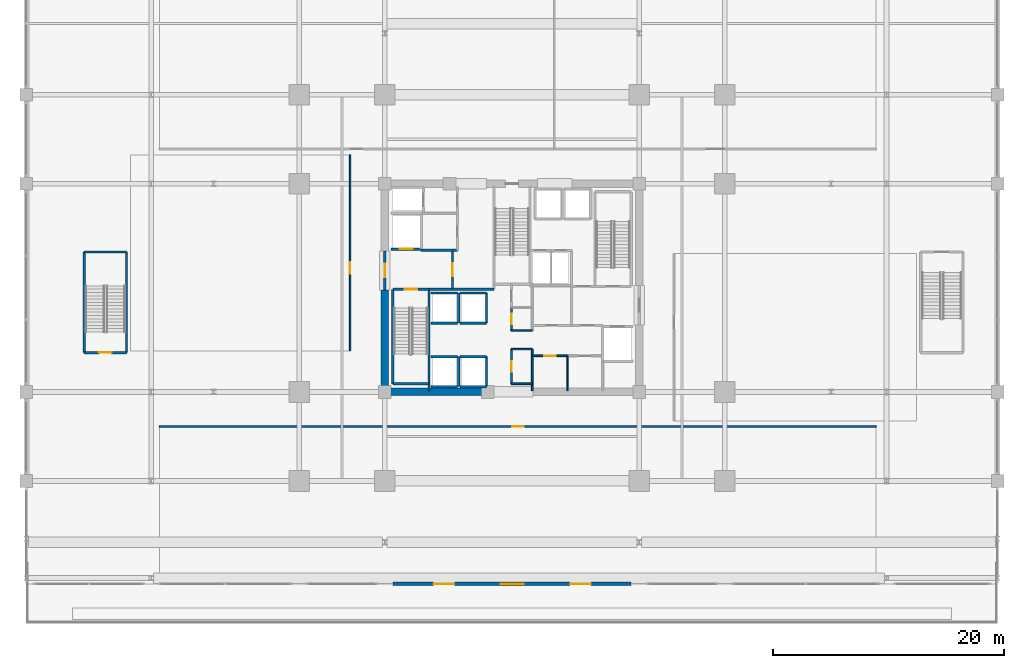
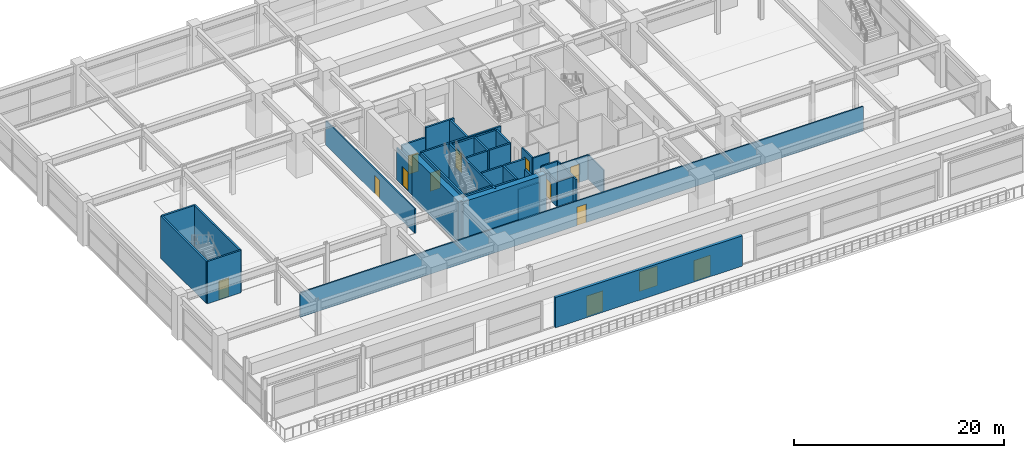
# One storey, part 36 of 45: 38 walls, 12 doors, 1 window, 13 openings.
"""IFC4 building model written with IfcOpenShell, lengths in metres."""

from ifc_helpers import new_model, si_unit, direction, frame, frame_2d, origin, place, context, subcontext, project, spatial, rectangle, extrude, material, layer, layer_set, type_object, element, fill, save


model = new_model("IFC4")

# Units and contexts
model_context = context("Model", 3, precision=1e-05, world=origin(), true_north=direction((0.0, 1.0)))
body_context = subcontext(model_context, "Body", "Model", "MODEL_VIEW")
ifc_project = project(units=[si_unit("LENGTHUNIT", "METRE"), si_unit("AREAUNIT", "SQUARE_METRE"), si_unit("VOLUMEUNIT", "CUBIC_METRE"), si_unit("PLANEANGLEUNIT", "RADIAN"), si_unit("MASSUNIT", "GRAM", prefix="KILO")], contexts=[model_context])

# Site, building, storey
site_placement = place(None, origin())
site = spatial("IfcSite", under=ifc_project, at=site_placement, CompositionType="ELEMENT")
building_placement = place(site_placement, origin())
building = spatial("IfcBuilding", under=site, at=building_placement, Name="Kovane Verandah Tower", CompositionType="ELEMENT")
storey_placement = place(building_placement, frame((0.0, 0.0, 6.0)))
storey = spatial("IfcBuildingStorey", under=building, at=storey_placement, Name="L01", CompositionType="ELEMENT", Elevation=6.0)

# Walls
ifc_material_1 = material(Name="Fire-Rated Gypsum Stud Partition", Category="gypsum")
ifc_layer_1 = layer(ifc_material_1, 0.14990234375)
ifc_layer_set_1 = layer_set([ifc_layer_1], Name="Fire-Rated Gypsum Stud Partition")
wall_type_1 = type_object("IfcWallType", Name="WL-COR-150", PredefinedType="PARTITIONING", material=ifc_layer_set_1)
for number, where, z_axis, x_axis, name in (
    (1, (39.949951171875, 19.199951171875, 0.0), (0.0, 0.0, 1.0), (1.0, 0.0, 0.0), "L01 Central Core Strip South Wall"),
    (2, (39.949951171875, 22.199951171875, 0.0), (0.0, 0.0, 1.0), (1.0, 0.0, 0.0), "L01 Core Cross-Passage South Wall"),
    (3, (39.949951171875, 23.800048828125, 0.0), (0.0, 0.0, 1.0), (1.0, 0.0, 0.0), "L01 Core Cross-Passage North Wall"),
):
    element("IfcWall", number, at=place(storey_placement, frame(where, z_axis=z_axis, x_axis=x_axis)), inside=storey, type_object=wall_type_1, Name=name, PredefinedType="PARTITIONING", context=body_context, shape_type="SweptSolid", body=[
        extrude(rectangle(XDim=1.81005859375, YDim=0.14990234375, at=frame_2d((0.905029296875, 0.0))), origin(), (0.0, 0.0, 1.0), 2.85009765625),
    ])
wall_1_placement = place(storey_placement, frame((41.760009765625, 18.60009765625, 0.0), z_axis=(0.0, 0.0, 1.0), x_axis=(0.0, 1.0, 0.0)))
element("IfcWall", 4, at=wall_1_placement, inside=storey, type_object=wall_type_1, Name="L01 Central Core Strip Lower East Wall", PredefinedType="PARTITIONING", context=body_context, shape_type="SweptSolid", body=[
    extrude(rectangle(XDim=3.599853515625, YDim=0.14990234375, at=frame_2d((1.7998046875, 0.0))), origin(), (0.0, 0.0, 1.0), 2.85009765625),
])

# Wall, opening, door
wall_2_placement = place(storey_placement, frame((39.949951171875, 19.199951171875, 0.0), z_axis=(0.0, 0.0, 1.0), x_axis=(0.0, 1.0, 0.0)))
wall_2 = element("IfcWall", 5, at=wall_2_placement, inside=storey, type_object=wall_type_1, Name="L01 Male Toilet Partition", PredefinedType="PARTITIONING", context=body_context, shape_type="SweptSolid", body=[
    extrude(rectangle(XDim=3.0, YDim=0.14990234375, at=frame_2d((1.5, 0.0))), origin(), (0.0, 0.0, 1.0), 2.85009765625),
])
opening_1_placement = place(wall_2_placement, frame((1.050048828125, 0.0, 0.0)))
opening_1 = element("IfcOpeningElement", 6, at=opening_1_placement, cuts=wall_2, Name="Opening DR-L01-027", PredefinedType="OPENING", context=body_context, shape_type="SweptSolid", body=[
    extrude(rectangle(XDim=0.89990234375, YDim=2.10009765625, at=frame_2d((0.449951171875, 1.050048828125))), frame((0.0, 0.074951171875, 0.0), z_axis=(0.0, -1.0, 0.0), x_axis=(1.0, 0.0, 0.0)), (0.0, 0.0, 1.0), 0.14990234375),
])
ifc_material_2 = material(Name="Moisture-Resistant Laminate Washroom Door", Category="wood")
door_type_1 = type_object("IfcDoorType", Name="DR-WC-900", OperationType="SINGLE_SWING_LEFT", PredefinedType="DOOR", material=ifc_material_2)
door_1_placement = place(opening_1_placement, origin())
door_1 = element("IfcDoor", 7, at=door_1_placement, inside=storey, type_object=door_type_1, Name="L01 Male Toilet Door", OperationType="SINGLE_SWING_LEFT", OverallHeight=2.10009765625, OverallWidth=0.89990234375, PredefinedType="DOOR", context=body_context, shape_type="SweptSolid", body=[
    extrude(rectangle(XDim=0.89990234375, YDim=2.10009765625, at=frame_2d((0.449951171875, 1.050048828125))), frame((0.0, 0.02490234375, 0.0), z_axis=(0.0, -1.0, 0.0), x_axis=(1.0, 0.0, 0.0)), (0.0, 0.0, 1.0), 0.050048828125),
])
fill(opening_1, door_1)

wall_3_placement = place(storey_placement, frame((39.949951171875, 23.800048828125, 0.0), z_axis=(0.0, 0.0, 1.0), x_axis=(0.0, 1.0, 0.0)))
wall_3 = element("IfcWall", 8, at=wall_3_placement, inside=storey, type_object=wall_type_1, Name="L01 Female Toilet Partition", PredefinedType="PARTITIONING", context=body_context, shape_type="SweptSolid", body=[
    extrude(rectangle(XDim=2.0, YDim=0.14990234375, at=frame_2d((1.0, 0.0))), origin(), (0.0, 0.0, 1.0), 2.85009765625),
])
opening_2_placement = place(wall_3_placement, frame((0.550048828125, 0.0, 0.0)))
opening_2 = element("IfcOpeningElement", 9, at=opening_2_placement, cuts=wall_3, Name="Opening DR-L01-026", PredefinedType="OPENING", context=body_context, shape_type="SweptSolid", body=[
    extrude(rectangle(XDim=0.89990234375, YDim=2.10009765625, at=frame_2d((0.449951171875, 1.050048828125))), frame((0.0, 0.074951171875, 0.0), z_axis=(0.0, -1.0, 0.0), x_axis=(1.0, 0.0, 0.0)), (0.0, 0.0, 1.0), 0.14990234375),
])
door_2_placement = place(opening_2_placement, origin())
door_2 = element("IfcDoor", 10, at=door_2_placement, inside=storey, type_object=door_type_1, Name="L01 Female Toilet Door", OperationType="SINGLE_SWING_RIGHT", OverallHeight=2.10009765625, OverallWidth=0.89990234375, PredefinedType="DOOR", context=body_context, shape_type="SweptSolid", body=[
    extrude(rectangle(XDim=0.89990234375, YDim=2.10009765625, at=frame_2d((0.449951171875, 1.050048828125))), frame((0.0, 0.02490234375, 0.0), z_axis=(0.0, -1.0, 0.0), x_axis=(1.0, 0.0, 0.0)), (0.0, 0.0, 1.0), 0.050048828125),
])
fill(opening_2, door_2)

wall_4_placement = place(storey_placement, frame((41.760009765625, 21.6201171875, 0.0), z_axis=(0.0, 0.0, 1.0), x_axis=(1.0, 0.0, 0.0)))
wall_4 = element("IfcWall", 11, at=wall_4_placement, inside=storey, type_object=wall_type_1, Name="L01 AV Control Room Partition", PredefinedType="PARTITIONING", context=body_context, shape_type="SweptSolid", body=[
    extrude(rectangle(XDim=3.0400390625, YDim=0.14990234375, at=frame_2d((1.52001953125, 0.0))), origin(), (0.0, 0.0, 1.0), 2.85009765625),
])
opening_3_placement = place(wall_4_placement, frame((1.02001953125, 0.0, 0.0)))
opening_3 = element("IfcOpeningElement", 12, at=opening_3_placement, cuts=wall_4, Name="Opening DR-L01-015", PredefinedType="OPENING", context=body_context, shape_type="SweptSolid", body=[
    extrude(rectangle(XDim=1.0, YDim=2.14990234375, at=frame_2d((0.5, 1.074951171875))), frame((0.0, 0.074951171875, 0.0), z_axis=(0.0, -1.0, 0.0), x_axis=(1.0, 0.0, 0.0)), (0.0, 0.0, 1.0), 0.14990234375),
])
ifc_material_3 = material(Name="FSC Spotted-Gum Timber Fire-Rated Office Door", Category="wood")
door_type_2 = type_object("IfcDoorType", Name="DR-OFF-1000", OperationType="SINGLE_SWING_LEFT", PredefinedType="DOOR", material=ifc_material_3)
door_3_placement = place(opening_3_placement, origin())
door_3 = element("IfcDoor", 13, at=door_3_placement, inside=storey, type_object=door_type_2, Name="L01 AV Control Room Door", OperationType="SINGLE_SWING_RIGHT", OverallHeight=2.14990234375, OverallWidth=1.0, PredefinedType="DOOR", context=body_context, shape_type="SweptSolid", body=[
    extrude(rectangle(XDim=1.0, YDim=2.14990234375, at=frame_2d((0.5, 1.074951171875))), frame((0.0, 0.02490234375, 0.0), z_axis=(0.0, -1.0, 0.0), x_axis=(1.0, 0.0, 0.0)), (0.0, 0.0, 1.0), 0.050048828125),
])
fill(opening_3, door_3)

wall_5_placement = place(storey_placement, frame((9.5, 15.5, 0.0), z_axis=(0.0, 0.0, 1.0), x_axis=(1.0, 0.0, 0.0)))
wall_5 = element("IfcWall", 14, at=wall_5_placement, inside=storey, type_object=wall_type_1, Name="L01 South Banking Hall Corridor Partition", PredefinedType="PARTITIONING", context=body_context, shape_type="SweptSolid", body=[
    extrude(rectangle(XDim=62.0, YDim=0.14990234375, at=frame_2d((31.0, 0.0))), origin(), (0.0, 0.0, 1.0), 2.85009765625),
])
opening_4_placement = place(wall_5_placement, frame((30.5, 0.0, 0.0)))
opening_4 = element("IfcOpeningElement", 15, at=opening_4_placement, cuts=wall_5, Name="Opening DR-L01-022", PredefinedType="OPENING", context=body_context, shape_type="SweptSolid", body=[
    extrude(rectangle(XDim=1.0, YDim=2.14990234375, at=frame_2d((0.5, 1.074951171875))), frame((0.0, 0.074951171875, 0.0), z_axis=(0.0, -1.0, 0.0), x_axis=(1.0, 0.0, 0.0)), (0.0, 0.0, 1.0), 0.14990234375),
])
door_4_placement = place(opening_4_placement, origin())
door_4 = element("IfcDoor", 16, at=door_4_placement, inside=storey, type_object=door_type_2, Name="L01 South Banking Hall Entrance Door", OperationType="SINGLE_SWING_LEFT", OverallHeight=2.14990234375, OverallWidth=1.0, PredefinedType="DOOR", context=body_context, shape_type="SweptSolid", body=[
    extrude(rectangle(XDim=1.0, YDim=2.14990234375, at=frame_2d((0.5, 1.074951171875))), frame((0.0, 0.02490234375, 0.0), z_axis=(0.0, -1.0, 0.0), x_axis=(1.0, 0.0, 0.0)), (0.0, 0.0, 1.0), 0.050048828125),
])
fill(opening_4, door_4)

wall_6_placement = place(storey_placement, frame((26.0, 22.050048828125, 0.0), z_axis=(0.0, 0.0, 1.0), x_axis=(0.0, 1.0, 0.0)))
wall_6 = element("IfcWall", 17, at=wall_6_placement, inside=storey, type_object=wall_type_1, Name="L01 West Client Advisory Suite Corridor Partition", PredefinedType="PARTITIONING", context=body_context, shape_type="SweptSolid", body=[
    extrude(rectangle(XDim=16.949951171875, YDim=0.14990234375, at=frame_2d((8.47509765625, 0.0))), origin(), (0.0, 0.0, 1.0), 2.85009765625),
])
opening_5_placement = place(wall_6_placement, frame((6.675048828125, 0.0, 0.0)))
opening_5 = element("IfcOpeningElement", 18, at=opening_5_placement, cuts=wall_6, Name="Opening DR-L01-024", PredefinedType="OPENING", context=body_context, shape_type="SweptSolid", body=[
    extrude(rectangle(XDim=1.0, YDim=2.14990234375, at=frame_2d((0.5, 1.074951171875))), frame((0.0, 0.074951171875, 0.0), z_axis=(0.0, -1.0, 0.0), x_axis=(1.0, 0.0, 0.0)), (0.0, 0.0, 1.0), 0.14990234375),
])
door_5_placement = place(opening_5_placement, origin())
door_5 = element("IfcDoor", 19, at=door_5_placement, inside=storey, type_object=door_type_2, Name="L01 West Client Advisory Suite Entrance Door", OperationType="SINGLE_SWING_RIGHT", OverallHeight=2.14990234375, OverallWidth=1.0, PredefinedType="DOOR", context=body_context, shape_type="SweptSolid", body=[
    extrude(rectangle(XDim=1.0, YDim=2.14990234375, at=frame_2d((0.5, 1.074951171875))), frame((0.0, 0.02490234375, 0.0), z_axis=(0.0, -1.0, 0.0), x_axis=(1.0, 0.0, 0.0)), (0.0, 0.0, 1.0), 0.050048828125),
])
fill(opening_5, door_5)

# Walls
ifc_material_4 = material(Name="Concrete C80/95", Category="concrete")
ifc_layer_2 = layer(ifc_material_4, 0.64990234375)
ifc_layer_set_2 = layer_set([ifc_layer_2], Name="Concrete C80/95")
wall_type_2 = type_object("IfcWallType", Name="WL-CORE-650", PredefinedType="SHEAR", material=ifc_layer_set_2)
wall_7_placement = place(storey_placement, frame((29.0, 18.5, 0.0), z_axis=(0.0, 0.0, 1.0), x_axis=(1.0, 0.0, 0.0)))
element("IfcWall", 20, at=wall_7_placement, inside=storey, type_object=wall_type_2, Name="L01 Core Shear Wall CS-1", PredefinedType="SHEAR", context=body_context, shape_type="SweptSolid", body=[
    extrude(rectangle(XDim=9.199951171875, YDim=0.64990234375, at=frame_2d((4.60009765625, 0.0))), origin(), (0.0, 0.0, 1.0), 4.919921875),
])
wall_8_placement = place(storey_placement, frame((29.0, 18.5, 0.0), z_axis=(0.0, 0.0, 1.0), x_axis=(0.0, 1.0, 0.0)))
element("IfcWall", 21, at=wall_8_placement, inside=storey, type_object=wall_type_2, Name="L01 Core Shear Wall CW-1", PredefinedType="SHEAR", context=body_context, shape_type="SweptSolid", body=[
    extrude(rectangle(XDim=8.800048828125, YDim=0.64990234375, at=frame_2d((4.39990234375, 0.0))), origin(), (0.0, 0.0, 1.0), 4.919921875),
])

# Wall, opening, door
ifc_material_5 = material(Name="Concrete C45/55 Fire Wall", Category="concrete")
ifc_layer_3 = layer(ifc_material_5, 0.199951171875)
ifc_layer_set_3 = layer_set([ifc_layer_3], Name="Concrete C45/55 Fire Wall")
wall_type_3 = type_object("IfcWallType", Name="WL-FFL-200", PredefinedType="PARTITIONING", material=ifc_layer_set_3)
wall_9_placement = place(storey_placement, frame((34.85009765625, 27.3798828125, 0.0), z_axis=(0.0, 0.0, 1.0), x_axis=(0.0, 1.0, 0.0)))
wall_9 = element("IfcWall", 22, at=wall_9_placement, inside=storey, type_object=wall_type_3, Name="W-L01-FFLW-E", PredefinedType="PARTITIONING", context=body_context, shape_type="SweptSolid", body=[
    extrude(rectangle(XDim=3.3701171875, YDim=0.199951171875, at=frame_2d((1.68505859375, 0.0))), origin(), (0.0, 0.0, 1.0), 4.919921875),
])
opening_6_placement = place(wall_9_placement, frame((1.110107421875, 0.0, 0.0)))
opening_6 = element("IfcOpeningElement", 23, at=opening_6_placement, cuts=wall_9, Name="Opening DR-L01-004", PredefinedType="OPENING", context=body_context, shape_type="SweptSolid", body=[
    extrude(rectangle(XDim=1.14990234375, YDim=2.199951171875, at=frame_2d((0.574951171875, 1.10009765625))), frame((0.0, 0.10009765625, 0.0), z_axis=(0.0, -1.0, 0.0), x_axis=(1.0, 0.0, 0.0)), (0.0, 0.0, 1.0), 0.199951171875),
])
ifc_material_6 = material(Name="Smoke-Sealed Firefighting Lobby Door", Category="steel")
door_type_3 = type_object("IfcDoorType", Name="DR-FFL-1150", OperationType="SINGLE_SWING_LEFT", PredefinedType="DOOR", material=ifc_material_6)
door_6_placement = place(opening_6_placement, origin())
door_6 = element("IfcDoor", 24, at=door_6_placement, inside=storey, type_object=door_type_3, Name="L01 West Firefighting Lobby Inner Door", OperationType="SINGLE_SWING_LEFT", OverallHeight=2.199951171875, OverallWidth=1.14990234375, PredefinedType="DOOR", context=body_context, shape_type="SweptSolid", body=[
    extrude(rectangle(XDim=1.14990234375, YDim=2.199951171875, at=frame_2d((0.574951171875, 1.10009765625))), frame((0.0, 0.02490234375, 0.0), z_axis=(0.0, -1.0, 0.0), x_axis=(1.0, 0.0, 0.0)), (0.0, 0.0, 1.0), 0.050048828125),
])
fill(opening_6, door_6)

wall_10_placement = place(storey_placement, frame((29.0, 27.300048828125, 0.0), z_axis=(0.0, 0.0, 1.0), x_axis=(0.0, 1.0, 0.0)))
wall_10 = element("IfcWall", 25, at=wall_10_placement, inside=storey, type_object=wall_type_3, Name="W-L01-FFLW-OUT", PredefinedType="PARTITIONING", context=body_context, shape_type="SweptSolid", body=[
    extrude(rectangle(XDim=3.39990234375, YDim=0.199951171875, at=frame_2d((1.699951171875, 0.0))), origin(), (0.0, 0.0, 1.0), 3.699951171875),
])
opening_7_placement = place(wall_10_placement, frame((1.125, 0.0, 0.0)))
opening_7 = element("IfcOpeningElement", 26, at=opening_7_placement, cuts=wall_10, Name="Opening DR-L01-005", PredefinedType="OPENING", context=body_context, shape_type="SweptSolid", body=[
    extrude(rectangle(XDim=1.14990234375, YDim=2.199951171875, at=frame_2d((0.574951171875, 1.10009765625))), frame((0.0, 0.10009765625, 0.0), z_axis=(0.0, -1.0, 0.0), x_axis=(1.0, 0.0, 0.0)), (0.0, 0.0, 1.0), 0.199951171875),
])
door_7_placement = place(opening_7_placement, origin())
door_7 = element("IfcDoor", 27, at=door_7_placement, inside=storey, type_object=door_type_3, Name="L01 West Firefighting Lobby Corridor Door", OperationType="SINGLE_SWING_RIGHT", OverallHeight=2.199951171875, OverallWidth=1.14990234375, PredefinedType="DOOR", context=body_context, shape_type="SweptSolid", body=[
    extrude(rectangle(XDim=1.14990234375, YDim=2.199951171875, at=frame_2d((0.574951171875, 1.10009765625))), frame((0.0, 0.02490234375, 0.0), z_axis=(0.0, -1.0, 0.0), x_axis=(1.0, 0.0, 0.0)), (0.0, 0.0, 1.0), 0.050048828125),
])
fill(opening_7, door_7)

# Walls
wall_11_placement = place(storey_placement, frame((32.820068359375, 27.3798828125, 0.0), z_axis=(0.0, 0.0, 1.0), x_axis=(1.0, 0.0, 0.0)))
element("IfcWall", 28, at=wall_11_placement, inside=storey, type_object=wall_type_3, Name="L01 West Firefighting Lobby South Fire Wall", PredefinedType="PARTITIONING", context=body_context, shape_type="SweptSolid", body=[
    extrude(rectangle(XDim=5.619873046875, YDim=0.199951171875, at=frame_2d((2.81005859375, 0.0))), origin(), (0.0, 0.0, 1.0), 4.919921875),
])
wall_12_placement = place(storey_placement, frame((32.14990234375, 30.75, 0.0), z_axis=(0.0, 0.0, 1.0), x_axis=(1.0, 0.0, 0.0)))
element("IfcWall", 29, at=wall_12_placement, inside=storey, type_object=wall_type_3, Name="L01 West Firefighting Lobby North Fire Wall", PredefinedType="PARTITIONING", context=body_context, shape_type="SweptSolid", body=[
    extrude(rectangle(XDim=3.130126953125, YDim=0.199951171875, at=frame_2d((1.56494140625, 0.0))), origin(), (0.0, 0.0, 1.0), 4.919921875),
])

# Wall, opening, door
ifc_material_7 = material(Name="Concrete C45/55 Lift Shaft Wall", Category="concrete")
ifc_layer_4 = layer(ifc_material_7, 0.199951171875)
ifc_layer_set_4 = layer_set([ifc_layer_4], Name="Concrete C45/55 Lift Shaft Wall")
wall_type_4 = type_object("IfcWallType", Name="WL-LIFT-200", PredefinedType="SOLIDWALL", material=ifc_layer_set_4)
wall_13_placement = place(storey_placement, frame((29.550048828125, 30.85009765625, 0.0), z_axis=(0.0, 0.0, 1.0), x_axis=(1.0, 0.0, 0.0)))
wall_13 = element("IfcWall", 30, at=wall_13_placement, inside=storey, type_object=wall_type_4, Name="L01 Lift FL-01 S Shaft Wall", PredefinedType="SOLIDWALL", context=body_context, shape_type="SweptSolid", body=[
    extrude(rectangle(XDim=2.599853515625, YDim=0.199951171875, at=frame_2d((1.2998046875, 0.0))), origin(), (0.0, 0.0, 1.0), 3.699951171875),
])
opening_8_placement = place(wall_13_placement, frame((0.75, 0.0, 0.0)))
opening_8 = element("IfcOpeningElement", 31, at=opening_8_placement, cuts=wall_13, Name="Opening LD-L01-001", PredefinedType="OPENING", context=body_context, shape_type="SweptSolid", body=[
    extrude(rectangle(XDim=1.10009765625, YDim=2.199951171875, at=frame_2d((0.550048828125, 1.10009765625))), frame((0.0, 0.10009765625, 0.0), z_axis=(0.0, -1.0, 0.0), x_axis=(1.0, 0.0, 0.0)), (0.0, 0.0, 1.0), 0.199951171875),
])
ifc_material_8 = material(Name="Brushed Stainless Steel Sliding Lift Landing Door", Category="steel")
door_type_4 = type_object("IfcDoorType", Name="DR-LIFT-1100", OperationType="SLIDING_TO_RIGHT", PredefinedType="DOOR", material=ifc_material_8)
door_8_placement = place(opening_8_placement, origin())
door_8 = element("IfcDoor", 32, at=door_8_placement, inside=storey, type_object=door_type_4, Name="L01 Lift FL-01 Sliding Landing Door", OperationType="SLIDING_TO_RIGHT", OverallHeight=2.199951171875, OverallWidth=1.10009765625, PredefinedType="DOOR", context=body_context, shape_type="SweptSolid", body=[
    extrude(rectangle(XDim=1.10009765625, YDim=2.199951171875, at=frame_2d((0.550048828125, 1.10009765625))), frame((0.0, 0.02490234375, 0.0), z_axis=(0.0, -1.0, 0.0), x_axis=(1.0, 0.0, 0.0)), (0.0, 0.0, 1.0), 0.050048828125),
])
fill(opening_8, door_8)

# Walls
for number, where, z_axis, x_axis, name in (
    (33, (33.0, 18.949951171875, 0.0), (0.0, 0.0, 1.0), (1.0, 0.0, 0.0), "L01 Lift PL-L1 S Shaft Wall"),
    (34, (35.300048828125, 21.550048828125, 0.0), (0.0, 0.0, 1.0), (-1.0, 0.0, 0.0), "L01 Lift PL-L1 N Shaft Wall"),
):
    element("IfcWall", number, at=place(storey_placement, frame(where, z_axis=z_axis, x_axis=x_axis)), inside=storey, type_object=wall_type_4, Name=name, PredefinedType="SOLIDWALL", context=body_context, shape_type="SweptSolid", body=[
        extrude(rectangle(XDim=2.300048828125, YDim=0.199951171875, at=frame_2d((1.14990234375, 0.0))), origin(), (0.0, 0.0, 1.0), 4.919921875),
    ])
wall_14_placement = place(storey_placement, frame((35.39990234375, 18.949951171875, 0.0), z_axis=(0.0, 0.0, 1.0), x_axis=(0.0, 1.0, 0.0)))
element("IfcWall", 35, at=wall_14_placement, inside=storey, type_object=wall_type_4, Name="L01 Lift PL-L1 and PL-L2 Shared Shaft Wall", PredefinedType="SOLIDWALL", context=body_context, shape_type="SweptSolid", body=[
    extrude(rectangle(XDim=2.60009765625, YDim=0.199951171875, at=frame_2d((1.300048828125, 0.0))), origin(), (0.0, 0.0, 1.0), 4.919921875),
])
wall_15_placement = place(storey_placement, frame((35.5, 18.949951171875, 0.0), z_axis=(0.0, 0.0, 1.0), x_axis=(1.0, 0.0, 0.0)))
element("IfcWall", 36, at=wall_15_placement, inside=storey, type_object=wall_type_4, Name="L01 Lift PL-L2 S Shaft Wall", PredefinedType="SOLIDWALL", context=body_context, shape_type="SweptSolid", body=[
    extrude(rectangle(XDim=2.300048828125, YDim=0.199951171875, at=frame_2d((1.14990234375, 0.0))), origin(), (0.0, 0.0, 1.0), 3.699951171875),
])
wall_16_placement = place(storey_placement, frame((37.800048828125, 21.550048828125, 0.0), z_axis=(0.0, 0.0, 1.0), x_axis=(-1.0, 0.0, 0.0)))
element("IfcWall", 37, at=wall_16_placement, inside=storey, type_object=wall_type_4, Name="L01 Lift PL-L2 N Shaft Wall", PredefinedType="SOLIDWALL", context=body_context, shape_type="SweptSolid", body=[
    extrude(rectangle(XDim=2.300048828125, YDim=0.199951171875, at=frame_2d((1.14990234375, 0.0))), origin(), (0.0, 0.0, 1.0), 4.919921875),
])
wall_17_placement = place(storey_placement, frame((37.800048828125, 18.949951171875, 0.0), z_axis=(0.0, 0.0, 1.0), x_axis=(0.0, 1.0, 0.0)))
element("IfcWall", 38, at=wall_17_placement, inside=storey, type_object=wall_type_4, Name="L01 Lift PL-L2 E Shaft Wall", PredefinedType="SOLIDWALL", context=body_context, shape_type="SweptSolid", body=[
    extrude(rectangle(XDim=2.60009765625, YDim=0.199951171875, at=frame_2d((1.300048828125, 0.0))), origin(), (0.0, 0.0, 1.0), 3.699951171875),
])
for number, where, z_axis, x_axis, name in (
    (39, (33.0, 24.449951171875, 0.0), (0.0, 0.0, 1.0), (1.0, 0.0, 0.0), "L01 Lift PL-L3 S Shaft Wall"),
    (40, (35.300048828125, 27.050048828125, 0.0), (0.0, 0.0, 1.0), (-1.0, 0.0, 0.0), "L01 Lift PL-L3 N Shaft Wall"),
):
    element("IfcWall", number, at=place(storey_placement, frame(where, z_axis=z_axis, x_axis=x_axis)), inside=storey, type_object=wall_type_4, Name=name, PredefinedType="SOLIDWALL", context=body_context, shape_type="SweptSolid", body=[
        extrude(rectangle(XDim=2.300048828125, YDim=0.199951171875, at=frame_2d((1.14990234375, 0.0))), origin(), (0.0, 0.0, 1.0), 4.919921875),
    ])
wall_18_placement = place(storey_placement, frame((35.39990234375, 24.449951171875, 0.0), z_axis=(0.0, 0.0, 1.0), x_axis=(0.0, 1.0, 0.0)))
element("IfcWall", 41, at=wall_18_placement, inside=storey, type_object=wall_type_4, Name="L01 Lift PL-L3 and PL-L4 Shared Shaft Wall", PredefinedType="SOLIDWALL", context=body_context, shape_type="SweptSolid", body=[
    extrude(rectangle(XDim=2.60009765625, YDim=0.199951171875, at=frame_2d((1.300048828125, 0.0))), origin(), (0.0, 0.0, 1.0), 4.919921875),
])
for number, where, z_axis, x_axis, name in (
    (42, (35.5, 24.449951171875, 0.0), (0.0, 0.0, 1.0), (1.0, 0.0, 0.0), "L01 Lift PL-L4 S Shaft Wall"),
    (43, (37.800048828125, 27.050048828125, 0.0), (0.0, 0.0, 1.0), (-1.0, 0.0, 0.0), "L01 Lift PL-L4 N Shaft Wall"),
):
    element("IfcWall", number, at=place(storey_placement, frame(where, z_axis=z_axis, x_axis=x_axis)), inside=storey, type_object=wall_type_4, Name=name, PredefinedType="SOLIDWALL", context=body_context, shape_type="SweptSolid", body=[
        extrude(rectangle(XDim=2.300048828125, YDim=0.199951171875, at=frame_2d((1.14990234375, 0.0))), origin(), (0.0, 0.0, 1.0), 4.919921875),
    ])
wall_19_placement = place(storey_placement, frame((37.800048828125, 24.449951171875, 0.0), z_axis=(0.0, 0.0, 1.0), x_axis=(0.0, 1.0, 0.0)))
element("IfcWall", 44, at=wall_19_placement, inside=storey, type_object=wall_type_4, Name="L01 Lift PL-L4 E Shaft Wall", PredefinedType="SOLIDWALL", context=body_context, shape_type="SweptSolid", body=[
    extrude(rectangle(XDim=2.60009765625, YDim=0.199951171875, at=frame_2d((1.300048828125, 0.0))), origin(), (0.0, 0.0, 1.0), 4.919921875),
])
ifc_material_9 = material(Name="Acoustic Fire-Rated Gypsum Partition", Category="gypsum")
ifc_layer_5 = layer(ifc_material_9, 0.1201171875)
ifc_layer_set_5 = layer_set([ifc_layer_5], Name="Acoustic Fire-Rated Gypsum Partition")
wall_type_5 = type_object("IfcWallType", Name="WL-PART-120", PredefinedType="PARTITIONING", material=ifc_layer_set_5)
wall_20_placement = place(storey_placement, frame((44.800048828125, 18.60009765625, 0.0), z_axis=(0.0, 0.0, 1.0), x_axis=(0.0, 1.0, 0.0)))
element("IfcWall", 45, at=wall_20_placement, inside=storey, type_object=wall_type_5, Name="L01 East Core Support Dividing Partition", PredefinedType="PARTITIONING", context=body_context, shape_type="SweptSolid", body=[
    extrude(rectangle(XDim=3.02001953125, YDim=0.1201171875, at=frame_2d((1.510009765625, 0.0))), origin(), (0.0, 0.0, 1.0), 2.85009765625),
])

# Wall, openings, doors, window
ifc_material_10 = material(Name="Concrete C45/55 Podium Facade Wall", Category="concrete")
ifc_layer_6 = layer(ifc_material_10, 0.320068359375)
ifc_layer_set_6 = layer_set([ifc_layer_6], Name="Concrete C45/55 Podium Facade Wall")
wall_type_6 = type_object("IfcWallType", Name="WL-POD-320", PredefinedType="SOLIDWALL", material=ifc_layer_set_6)
wall_21_placement = place(storey_placement, frame((29.719970703125, 1.89990234375, 0.0), z_axis=(0.0, 0.0, 1.0), x_axis=(1.0, 0.0, 0.0)))
wall_21 = element("IfcWall", 46, at=wall_21_placement, inside=storey, type_object=wall_type_6, Name="L01 South Cascading Terrace Access Wall", PredefinedType="SOLIDWALL", context=body_context, shape_type="SweptSolid", body=[
    extrude(rectangle(XDim=20.56005859375, YDim=0.320068359375, at=frame_2d((10.280029296875, 0.0))), origin(), (0.0, 0.0, 1.0), 3.530029296875),
])
opening_9_placement = place(wall_21_placement, frame((3.5, 0.0, 0.0)))
opening_9 = element("IfcOpeningElement", 47, at=opening_9_placement, cuts=wall_21, Name="Opening DR-L01-012", PredefinedType="OPENING", context=body_context, shape_type="SweptSolid", body=[
    extrude(rectangle(XDim=1.800048828125, YDim=2.39990234375, at=frame_2d((0.89990234375, 1.199951171875))), frame((0.0, 0.16015625, 0.0), z_axis=(0.0, -1.0, 0.0), x_axis=(1.0, 0.0, 0.0)), (0.0, 0.0, 1.0), 0.320068359375),
])
opening_10_placement = place(wall_21_placement, frame((9.300048828125, 0.0, 0.89990234375)))
opening_10 = element("IfcOpeningElement", 48, at=opening_10_placement, cuts=wall_21, Name="Opening W-04", PredefinedType="OPENING", context=body_context, shape_type="SweptSolid", body=[
    extrude(rectangle(XDim=2.0, YDim=2.300048828125, at=frame_2d((1.0, 1.14990234375))), frame((0.0, 0.16015625, 0.0), z_axis=(0.0, -1.0, 0.0), x_axis=(1.0, 0.0, 0.0)), (0.0, 0.0, 1.0), 0.320068359375),
])
opening_11_placement = place(wall_21_placement, frame((15.300048828125, 0.0, 0.0)))
opening_11 = element("IfcOpeningElement", 49, at=opening_11_placement, cuts=wall_21, Name="Opening DR-L01-013", PredefinedType="OPENING", context=body_context, shape_type="SweptSolid", body=[
    extrude(rectangle(XDim=1.800048828125, YDim=2.39990234375, at=frame_2d((0.89990234375, 1.199951171875))), frame((0.0, 0.16015625, 0.0), z_axis=(0.0, -1.0, 0.0), x_axis=(1.0, 0.0, 0.0)), (0.0, 0.0, 1.0), 0.320068359375),
])
ifc_material_11 = material(Name="Cyclone-Rated Glazed Verandah Double Door", Category="aluminium")
door_type_5 = type_object("IfcDoorType", Name="DR-TERR-1800x2400", OperationType="DOUBLE_DOOR_SINGLE_SWING", PredefinedType="DOOR", material=ifc_material_11)
door_9_placement = place(opening_9_placement, origin())
door_9 = element("IfcDoor", 50, at=door_9_placement, inside=storey, type_object=door_type_5, Name="L01 Garden Step Terrace Door 1", OperationType="DOUBLE_DOOR_SINGLE_SWING", OverallHeight=2.39990234375, OverallWidth=1.800048828125, PredefinedType="DOOR", context=body_context, shape_type="SweptSolid", body=[
    extrude(rectangle(XDim=1.800048828125, YDim=2.39990234375, at=frame_2d((0.89990234375, 1.199951171875))), frame((0.0, 0.02490234375, 0.0), z_axis=(0.0, -1.0, 0.0), x_axis=(1.0, 0.0, 0.0)), (0.0, 0.0, 1.0), 0.050048828125),
])
fill(opening_9, door_9)
door_10_placement = place(opening_11_placement, origin())
door_10 = element("IfcDoor", 51, at=door_10_placement, inside=storey, type_object=door_type_5, Name="L01 Garden Step Terrace Door 2", OperationType="DOUBLE_DOOR_SINGLE_SWING", OverallHeight=2.39990234375, OverallWidth=1.800048828125, PredefinedType="DOOR", context=body_context, shape_type="SweptSolid", body=[
    extrude(rectangle(XDim=1.800048828125, YDim=2.39990234375, at=frame_2d((0.89990234375, 1.199951171875))), frame((0.0, 0.02490234375, 0.0), z_axis=(0.0, -1.0, 0.0), x_axis=(1.0, 0.0, 0.0)), (0.0, 0.0, 1.0), 0.050048828125),
])
fill(opening_11, door_10)
ifc_material_12 = material(Name="Clear Low-E Laminated Double Glazing in Anodised Frame", Category="glass")
window_type = type_object("IfcWindowType", Name="WN-FIXED-2000x2300", PartitioningType="SINGLE_PANEL", PredefinedType="WINDOW", material=ifc_material_12)
window_placement = place(opening_10_placement, origin())
window = element("IfcWindow", 52, at=window_placement, inside=storey, type_object=window_type, Name="L01 South Terrace View Window", OverallHeight=2.300048828125, OverallWidth=2.0, PartitioningType="SINGLE_PANEL", PredefinedType="WINDOW", context=body_context, shape_type="SweptSolid", body=[
    extrude(rectangle(XDim=2.0, YDim=2.300048828125, at=frame_2d((1.0, 1.14990234375))), frame((0.0, 0.030029296875, 0.0), z_axis=(0.0, -1.0, 0.0), x_axis=(1.0, 0.0, 0.0)), (0.0, 0.0, 1.0), 0.06005859375),
])
fill(opening_10, window)

# Walls
ifc_material_13 = material(Name="Concrete C45/55", Category="concrete")
ifc_layer_7 = layer(ifc_material_13, 0.199951171875)
ifc_layer_set_7 = layer_set([ifc_layer_7], Name="Concrete C45/55")
wall_type_7 = type_object("IfcWallType", Name="WL-SHAFT-200", PredefinedType="SOLIDWALL", material=ifc_layer_set_7)
wall_22_placement = place(storey_placement, frame((29.699951171875, 19.199951171875, 0.0), z_axis=(0.0, 0.0, 1.0), x_axis=(0.0, 1.0, 0.0)))
element("IfcWall", 53, at=wall_22_placement, inside=storey, type_object=wall_type_7, Name="W-L01-ST01-W", PredefinedType="SOLIDWALL", context=body_context, shape_type="SweptSolid", body=[
    extrude(rectangle(XDim=8.150146484375, YDim=0.199951171875, at=frame_2d((4.0751953125, 0.0))), origin(), (0.0, 0.0, 1.0), 4.919921875),
])
wall_23_placement = place(storey_placement, frame((29.699951171875, 19.199951171875, 0.0), z_axis=(0.0, 0.0, 1.0), x_axis=(1.0, 0.0, 0.0)))
element("IfcWall", 54, at=wall_23_placement, inside=storey, type_object=wall_type_7, Name="W-L01-ST01-S", PredefinedType="SOLIDWALL", context=body_context, shape_type="SweptSolid", body=[
    extrude(rectangle(XDim=3.1201171875, YDim=0.199951171875, at=frame_2d((1.56005859375, 0.0))), origin(), (0.0, 0.0, 1.0), 4.919921875),
])
wall_24_placement = place(storey_placement, frame((32.820068359375, 18.60009765625, 0.0), z_axis=(0.0, 0.0, 1.0), x_axis=(0.0, 1.0, 0.0)))
element("IfcWall", 55, at=wall_24_placement, inside=storey, type_object=wall_type_7, Name="W-L01-ST01-E", PredefinedType="SOLIDWALL", context=body_context, shape_type="SweptSolid", body=[
    extrude(rectangle(XDim=8.77978515625, YDim=0.199951171875, at=frame_2d((4.389892578125, 0.0))), origin(), (0.0, 0.0, 1.0), 4.919921875),
])

# Wall, opening, door
wall_25_placement = place(storey_placement, frame((29.699951171875, 27.3798828125, 0.0), z_axis=(0.0, 0.0, 1.0), x_axis=(1.0, 0.0, 0.0)))
wall_25 = element("IfcWall", 56, at=wall_25_placement, inside=storey, type_object=wall_type_7, Name="W-L01-ST01-N", PredefinedType="SOLIDWALL", context=body_context, shape_type="SweptSolid", body=[
    extrude(rectangle(XDim=3.1201171875, YDim=0.199951171875, at=frame_2d((1.56005859375, 0.0))), origin(), (0.0, 0.0, 1.0), 4.919921875),
])
opening_12_placement = place(wall_25_placement, frame((1.010009765625, 0.0, 0.0)))
opening_12 = element("IfcOpeningElement", 57, at=opening_12_placement, cuts=wall_25, Name="Opening DR-L01-007", PredefinedType="OPENING", context=body_context, shape_type="SweptSolid", body=[
    extrude(rectangle(XDim=1.10009765625, YDim=2.14990234375, at=frame_2d((0.550048828125, 1.074951171875))), frame((0.0, 0.10009765625, 0.0), z_axis=(0.0, -1.0, 0.0), x_axis=(1.0, 0.0, 0.0)), (0.0, 0.0, 1.0), 0.199951171875),
])
ifc_material_14 = material(Name="Fire-Rated Steel Exit Door", Category="steel")
door_type_6 = type_object("IfcDoorType", Name="DR-STAIR-1100", OperationType="SINGLE_SWING_LEFT", PredefinedType="DOOR", material=ifc_material_14)
door_11_placement = place(opening_12_placement, origin())
door_11 = element("IfcDoor", 58, at=door_11_placement, inside=storey, type_object=door_type_6, Name="L01 ST-01 Fire Exit Stair Door", OperationType="SINGLE_SWING_RIGHT", OverallHeight=2.14990234375, OverallWidth=1.10009765625, PredefinedType="DOOR", context=body_context, shape_type="SweptSolid", body=[
    extrude(rectangle(XDim=1.10009765625, YDim=2.14990234375, at=frame_2d((0.550048828125, 1.074951171875))), frame((0.0, 0.02490234375, 0.0), z_axis=(0.0, -1.0, 0.0), x_axis=(1.0, 0.0, 0.0)), (0.0, 0.0, 1.0), 0.050048828125),
])
fill(opening_12, door_11)

# Walls
for number, where, z_axis, x_axis, name in (
    (59, (3.0, 21.89990234375, 0.0), (0.0, 0.0, 1.0), (0.0, 1.0, 0.0), "W-L01-ST-04-W"),
    (60, (6.659912109375, 21.89990234375, 0.0), (0.0, 0.0, 1.0), (0.0, 1.0, 0.0), "W-L01-ST-04-E"),
):
    element("IfcWall", number, at=place(storey_placement, frame(where, z_axis=z_axis, x_axis=x_axis)), inside=storey, type_object=wall_type_7, Name=name, PredefinedType="SOLIDWALL", context=body_context, shape_type="SweptSolid", body=[
        extrude(rectangle(XDim=8.7001953125, YDim=0.199951171875, at=frame_2d((4.35009765625, 0.0))), origin(), (0.0, 0.0, 1.0), 4.919921875),
    ])
wall_26_placement = place(storey_placement, frame((3.0, 30.60009765625, 0.0), z_axis=(0.0, 0.0, 1.0), x_axis=(1.0, 0.0, 0.0)))
element("IfcWall", 61, at=wall_26_placement, inside=storey, type_object=wall_type_7, Name="W-L01-ST-04-N", PredefinedType="SOLIDWALL", context=body_context, shape_type="SweptSolid", body=[
    extrude(rectangle(XDim=3.659912109375, YDim=0.199951171875, at=frame_2d((1.830078125, 0.0))), origin(), (0.0, 0.0, 1.0), 4.919921875),
])

# Wall, opening, door
wall_27_placement = place(storey_placement, frame((3.0, 21.89990234375, 0.0), z_axis=(0.0, 0.0, 1.0), x_axis=(1.0, 0.0, 0.0)))
wall_27 = element("IfcWall", 62, at=wall_27_placement, inside=storey, type_object=wall_type_7, Name="W-L01-ST-04-S", PredefinedType="SOLIDWALL", context=body_context, shape_type="SweptSolid", body=[
    extrude(rectangle(XDim=3.659912109375, YDim=0.199951171875, at=frame_2d((1.830078125, 0.0))), origin(), (0.0, 0.0, 1.0), 4.919921875),
])
opening_13_placement = place(wall_27_placement, frame((1.280029296875, 0.0, 0.0)))
opening_13 = element("IfcOpeningElement", 63, at=opening_13_placement, cuts=wall_27, Name="Opening DR-L01-010", PredefinedType="OPENING", context=body_context, shape_type="SweptSolid", body=[
    extrude(rectangle(XDim=1.10009765625, YDim=2.14990234375, at=frame_2d((0.550048828125, 1.074951171875))), frame((0.0, 0.10009765625, 0.0), z_axis=(0.0, -1.0, 0.0), x_axis=(1.0, 0.0, 0.0)), (0.0, 0.0, 1.0), 0.199951171875),
])
door_12_placement = place(opening_13_placement, origin())
door_12 = element("IfcDoor", 64, at=door_12_placement, inside=storey, type_object=door_type_6, Name="L01 ST-04 Fire Exit Stair Door", OperationType="SINGLE_SWING_LEFT", OverallHeight=2.14990234375, OverallWidth=1.10009765625, PredefinedType="DOOR", context=body_context, shape_type="SweptSolid", body=[
    extrude(rectangle(XDim=1.10009765625, YDim=2.14990234375, at=frame_2d((0.550048828125, 1.074951171875))), frame((0.0, 0.02490234375, 0.0), z_axis=(0.0, -1.0, 0.0), x_axis=(1.0, 0.0, 0.0)), (0.0, 0.0, 1.0), 0.050048828125),
])
fill(opening_13, door_12)

save(model, "model.ifc")
